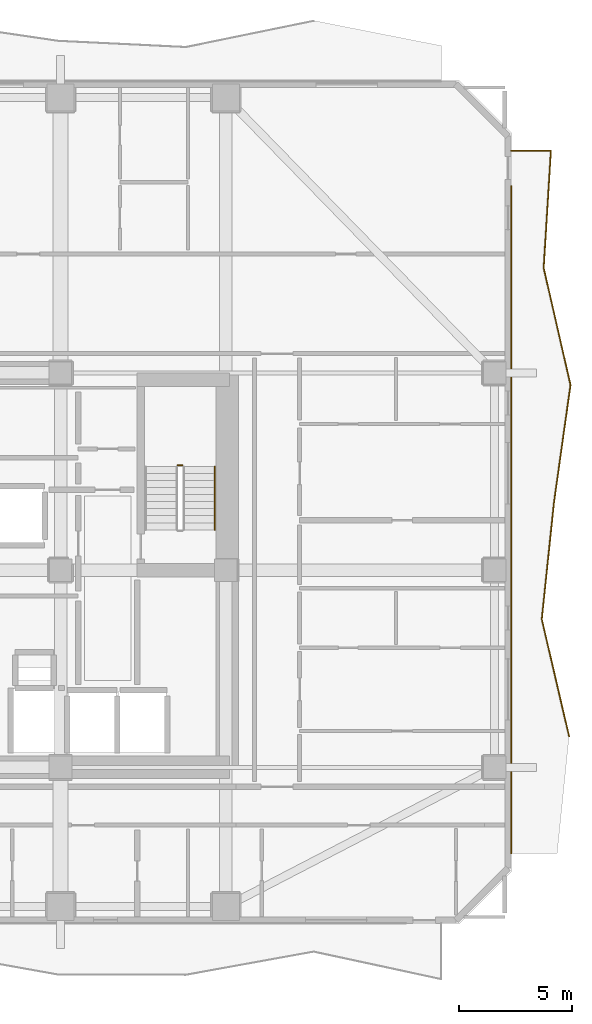
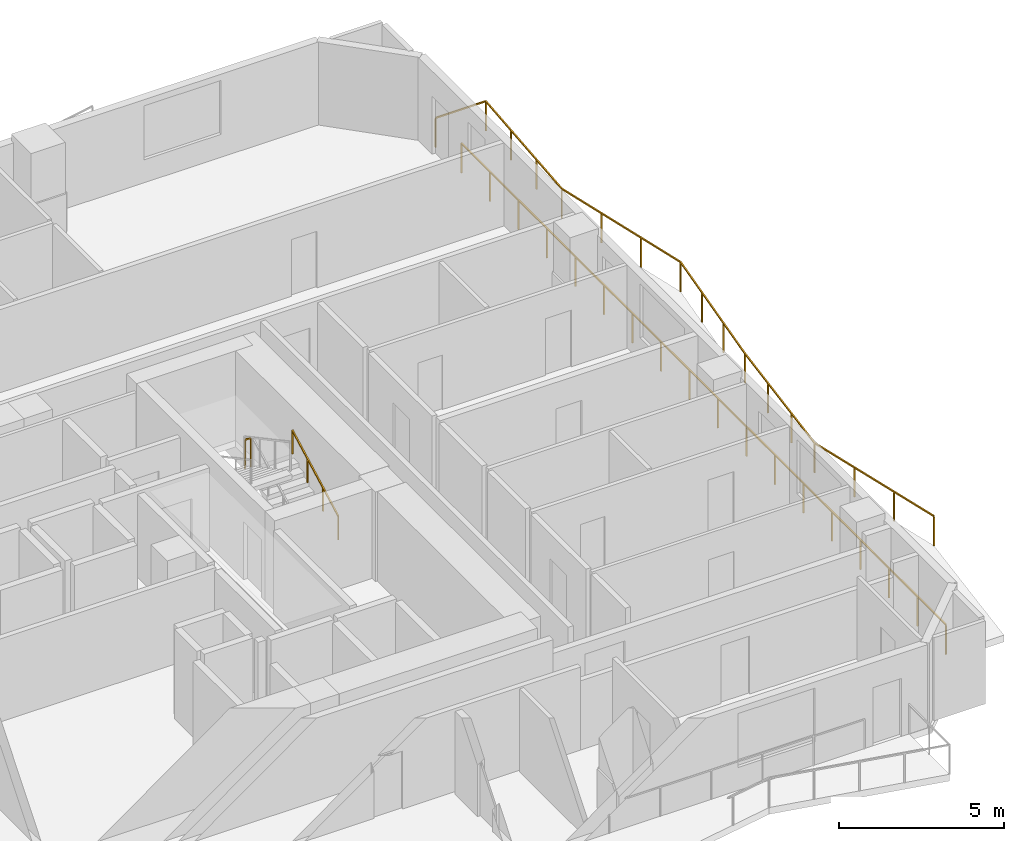
# One storey, part 10 of 11: 4 railings.
"""IFC4 building model written with IfcOpenShell, lengths in metres."""

from ifc_helpers import new_model, si_unit, direction, frame, origin, origin_2d, place, context, subcontext, project, spatial, rectangle, extrude, material, type_object, element, save


model = new_model("IFC4")

# Units and contexts
model_context = context("Model", 3, precision=1e-05, world=origin(), true_north=direction((0.0, 1.0)))
body_context = subcontext(model_context, "Body", "Model", "MODEL_VIEW")
ifc_project = project(units=[si_unit("LENGTHUNIT", "METRE"), si_unit("AREAUNIT", "SQUARE_METRE"), si_unit("VOLUMEUNIT", "CUBIC_METRE"), si_unit("PLANEANGLEUNIT", "RADIAN"), si_unit("MASSUNIT", "GRAM", prefix="KILO")], contexts=[model_context])

# Site, building, storey
site_placement = place(None, origin())
site = spatial("IfcSite", under=ifc_project, at=site_placement, CompositionType="ELEMENT")
building_placement = place(site_placement, origin())
building = spatial("IfcBuilding", under=site, at=building_placement, Name="Solanera Arch Residences", CompositionType="ELEMENT")
storey_placement = place(building_placement, frame((0.0, 0.0, 149.239990234375)))
storey = spatial("IfcBuildingStorey", under=building, at=storey_placement, Name="L43", CompositionType="ELEMENT", Elevation=149.239990234375)

# Railings
ifc_material_1 = material(Name="Steel S355 (ASTM A992 / A572 Grade 50)", Category="steel")
railing_type_1 = type_object("IfcRailingType", Name="Balustrade Railing BL-1100", PredefinedType="BALUSTRADE", material=ifc_material_1)
railing_1_placement = place(storey_placement, frame((51.639892578125, 23.366943359375, 0.0)))
element("IfcRailing", 1, at=railing_1_placement, inside=storey, type_object=railing_type_1, Name="L43 E Balcony Balustrade 1", PredefinedType="BALUSTRADE", context=body_context, shape_type="SweptSolid", body=[
    extrude(rectangle(XDim=0.048095703125, YDim=0.048095703125, at=origin_2d()), frame((0.0, 0.0, 1.09619140625), z_axis=(-0.227127770196, 0.973864968055, 0.0), x_axis=(-0.973864968055, -0.227127770196, 0.0)), (0.0, 0.0, 1.0), 5.3046875),
    extrude(rectangle(XDim=0.048095703125, YDim=0.048095703125, at=origin_2d()), frame((-1.204833984375, 5.166015625, 1.09619140625), z_axis=(0.103950876066, 0.994582432665, 0.0), x_axis=(-0.994582432665, 0.103950876066, 0.0)), (0.0, 0.0, 1.0), 5.195068359375),
    extrude(rectangle(XDim=0.048095703125, YDim=0.048095703125, at=origin_2d()), frame((-0.664794921875, 10.3330078125, 1.09619140625), z_axis=(0.139475629717, 0.990225503971, 0.0), x_axis=(-0.990225503971, 0.139475629717, 0.0)), (0.0, 0.0, 1.0), 5.218017578125),
    extrude(rectangle(XDim=0.048095703125, YDim=0.048095703125, at=origin_2d()), frame((0.06298828125, 15.5, 1.09619140625), z_axis=(-0.223368861917, 0.974733990136, 0.0), x_axis=(-0.974733990136, -0.223368861917, 0.0)), (0.0, 0.0, 1.0), 5.2998046875),
    extrude(rectangle(XDim=0.048095703125, YDim=0.048095703125, at=origin_2d()), frame((-1.120849609375, 20.666015625, 1.09619140625), z_axis=(0.061591404745, 0.998101447179, 0.0), x_axis=(-0.998101447179, 0.061591404745, 0.0)), (0.0, 0.0, 1.0), 5.1767578125),
    extrude(rectangle(XDim=0.048095703125, YDim=0.048095703125, at=origin_2d()), frame((-0.802001953125, 25.8330078125, 1.09619140625), z_axis=(-1.0, 0.0, 0.0), x_axis=(0.0, -1.0, 0.0)), (0.0, 0.0, 1.0), 1.7578125),
    extrude(rectangle(XDim=0.0419921875, YDim=0.0419921875, at=origin_2d()), origin(), (0.0, 0.0, 1.0), 1.072021484375),
    extrude(rectangle(XDim=0.0419921875, YDim=0.0419921875, at=origin_2d()), frame((-0.401611328125, 1.721923828125, 0.0)), (0.0, 0.0, 1.0), 1.072021484375),
    extrude(rectangle(XDim=0.0419921875, YDim=0.0419921875, at=origin_2d()), frame((-0.80322265625, 3.444091796875, 0.0)), (0.0, 0.0, 1.0), 1.072021484375),
    extrude(rectangle(XDim=0.0419921875, YDim=0.0419921875, at=origin_2d()), frame((-1.204833984375, 5.166015625, 0.0)), (0.0, 0.0, 1.0), 1.072021484375),
    extrude(rectangle(XDim=0.0419921875, YDim=0.0419921875, at=origin_2d()), frame((-1.02490234375, 6.888427734375, 0.0)), (0.0, 0.0, 1.0), 1.072021484375),
    extrude(rectangle(XDim=0.0419921875, YDim=0.0419921875, at=origin_2d()), frame((-0.8447265625, 8.610595703125, 0.0)), (0.0, 0.0, 1.0), 1.072021484375),
    extrude(rectangle(XDim=0.0419921875, YDim=0.0419921875, at=origin_2d()), frame((-0.664794921875, 10.3330078125, 0.0)), (0.0, 0.0, 1.0), 1.072021484375),
    extrude(rectangle(XDim=0.0419921875, YDim=0.0419921875, at=origin_2d()), frame((-0.422119140625, 12.055419921875, 0.0)), (0.0, 0.0, 1.0), 1.072021484375),
    extrude(rectangle(XDim=0.0419921875, YDim=0.0419921875, at=origin_2d()), frame((-0.1796875, 13.777587890625, 0.0)), (0.0, 0.0, 1.0), 1.072021484375),
    extrude(rectangle(XDim=0.0419921875, YDim=0.0419921875, at=origin_2d()), frame((0.06298828125, 15.5, 0.0)), (0.0, 0.0, 1.0), 1.072021484375),
    extrude(rectangle(XDim=0.0419921875, YDim=0.0419921875, at=origin_2d()), frame((-0.33154296875, 17.221923828125, 0.0)), (0.0, 0.0, 1.0), 1.072021484375),
    extrude(rectangle(XDim=0.0419921875, YDim=0.0419921875, at=origin_2d()), frame((-0.726318359375, 18.944091796875, 0.0)), (0.0, 0.0, 1.0), 1.072021484375),
    extrude(rectangle(XDim=0.0419921875, YDim=0.0419921875, at=origin_2d()), frame((-1.120849609375, 20.666015625, 0.0)), (0.0, 0.0, 1.0), 1.072021484375),
    extrude(rectangle(XDim=0.0419921875, YDim=0.0419921875, at=origin_2d()), frame((-1.0146484375, 22.388427734375, 0.0)), (0.0, 0.0, 1.0), 1.072021484375),
    extrude(rectangle(XDim=0.0419921875, YDim=0.0419921875, at=origin_2d()), frame((-0.908203125, 24.110595703125, 0.0)), (0.0, 0.0, 1.0), 1.072021484375),
    extrude(rectangle(XDim=0.0419921875, YDim=0.0419921875, at=origin_2d()), frame((-0.802001953125, 25.8330078125, 0.0)), (0.0, 0.0, 1.0), 1.072021484375),
    extrude(rectangle(XDim=0.0419921875, YDim=0.0419921875, at=origin_2d()), frame((-2.559814453125, 25.8330078125, 0.0)), (0.0, 0.0, 1.0), 1.072021484375),
])
railing_2_placement = place(storey_placement, frame((49.080078125, 47.64111328125, 0.0)))
element("IfcRailing", 2, at=railing_2_placement, inside=storey, type_object=railing_type_1, Name="L43 E Balcony Balustrade 2", PredefinedType="BALUSTRADE", context=body_context, shape_type="SweptSolid", body=[
    extrude(rectangle(XDim=0.048095703125, YDim=0.048095703125, at=origin_2d()), frame((0.0, 0.0, 1.09619140625), z_axis=(0.0, -1.0, 0.0), x_axis=(1.0, 0.0, 0.0)), (0.0, 0.0, 1.0), 29.441162109375),
    extrude(rectangle(XDim=0.0419921875, YDim=0.0419921875, at=origin_2d()), origin(), (0.0, 0.0, 1.0), 1.072021484375),
    extrude(rectangle(XDim=0.0419921875, YDim=0.0419921875, at=origin_2d()), frame((0.0, -1.73193359375, 0.0)), (0.0, 0.0, 1.0), 1.072021484375),
    extrude(rectangle(XDim=0.0419921875, YDim=0.0419921875, at=origin_2d()), frame((0.0, -3.463623046875, 0.0)), (0.0, 0.0, 1.0), 1.072021484375),
    extrude(rectangle(XDim=0.0419921875, YDim=0.0419921875, at=origin_2d()), frame((0.0, -5.195556640625, 0.0)), (0.0, 0.0, 1.0), 1.072021484375),
    extrude(rectangle(XDim=0.0419921875, YDim=0.0419921875, at=origin_2d()), frame((0.0, -6.92724609375, 0.0)), (0.0, 0.0, 1.0), 1.072021484375),
    extrude(rectangle(XDim=0.0419921875, YDim=0.0419921875, at=origin_2d()), frame((0.0, -8.6591796875, 0.0)), (0.0, 0.0, 1.0), 1.072021484375),
    extrude(rectangle(XDim=0.0419921875, YDim=0.0419921875, at=origin_2d()), frame((0.0, -10.39111328125, 0.0)), (0.0, 0.0, 1.0), 1.072021484375),
    extrude(rectangle(XDim=0.0419921875, YDim=0.0419921875, at=origin_2d()), frame((0.0, -12.122802734375, 0.0)), (0.0, 0.0, 1.0), 1.072021484375),
    extrude(rectangle(XDim=0.0419921875, YDim=0.0419921875, at=origin_2d()), frame((0.0, -13.854736328125, 0.0)), (0.0, 0.0, 1.0), 1.072021484375),
    extrude(rectangle(XDim=0.0419921875, YDim=0.0419921875, at=origin_2d()), frame((0.0, -15.58642578125, 0.0)), (0.0, 0.0, 1.0), 1.072021484375),
    extrude(rectangle(XDim=0.0419921875, YDim=0.0419921875, at=origin_2d()), frame((0.0, -17.318359375, 0.0)), (0.0, 0.0, 1.0), 1.072021484375),
    extrude(rectangle(XDim=0.0419921875, YDim=0.0419921875, at=origin_2d()), frame((0.0, -19.050048828125, 0.0)), (0.0, 0.0, 1.0), 1.072021484375),
    extrude(rectangle(XDim=0.0419921875, YDim=0.0419921875, at=origin_2d()), frame((0.0, -20.781982421875, 0.0)), (0.0, 0.0, 1.0), 1.072021484375),
    extrude(rectangle(XDim=0.0419921875, YDim=0.0419921875, at=origin_2d()), frame((0.0, -22.513916015625, 0.0)), (0.0, 0.0, 1.0), 1.072021484375),
    extrude(rectangle(XDim=0.0419921875, YDim=0.0419921875, at=origin_2d()), frame((0.0, -24.24560546875, 0.0)), (0.0, 0.0, 1.0), 1.072021484375),
    extrude(rectangle(XDim=0.0419921875, YDim=0.0419921875, at=origin_2d()), frame((0.0, -25.9775390625, 0.0)), (0.0, 0.0, 1.0), 1.072021484375),
    extrude(rectangle(XDim=0.0419921875, YDim=0.0419921875, at=origin_2d()), frame((0.0, -27.709228515625, 0.0)), (0.0, 0.0, 1.0), 1.072021484375),
    extrude(rectangle(XDim=0.0419921875, YDim=0.0419921875, at=origin_2d()), frame((0.0, -29.441162109375, 0.0)), (0.0, 0.0, 1.0), 1.072021484375),
])
ifc_material_2 = material(Name="Steel S355 (ASTM A992 / A572 Grade 50)", Category="steel")
railing_type_2 = type_object("IfcRailingType", Name="Stair Guardrail GR-1100", PredefinedType="GUARDRAIL", material=ifc_material_2)
railing_3_placement = place(storey_placement, frame((34.580078125, 35.320068359375, 1.64501953125)))
element("IfcRailing", 3, at=railing_3_placement, inside=storey, type_object=railing_type_2, Name="L43 ST-T2 stair guard 2", PredefinedType="GUARDRAIL", context=body_context, shape_type="SweptSolid", body=[
    extrude(rectangle(XDim=0.048095703125, YDim=0.048095703125, at=origin_2d()), frame((0.0, 0.0, 1.076171875), z_axis=(-1.0, 0.0, 0.0), x_axis=(0.0, -1.0, 0.0)), (0.0, 0.0, 1.0), 0.2001953125),
    extrude(rectangle(XDim=0.0419921875, YDim=0.0419921875, at=origin_2d()), origin(), (0.0, 0.0, 1.0), 1.052001953125),
    extrude(rectangle(XDim=0.0419921875, YDim=0.0419921875, at=origin_2d()), frame((-0.2001953125, 0.0, 0.0)), (0.0, 0.0, 1.0), 1.052001953125),
])
ifc_material_3 = material(Name="Steel S355 (ASTM A992 / A572 Grade 50)", Category="steel")
railing_type_3 = type_object("IfcRailingType", Name="Stair Wall Handrail HR-920", PredefinedType="HANDRAIL", material=ifc_material_3)
railing_4_placement = place(storey_placement, frame((36.010009765625, 32.47998046875, 0.166015625)))
element("IfcRailing", 4, at=railing_4_placement, inside=storey, type_object=railing_type_3, Name="L43 ST-T2 stair handrail 1", PredefinedType="HANDRAIL", context=body_context, shape_type="SweptSolid", body=[
    extrude(rectangle(XDim=0.048095703125, YDim=0.048095703125, at=origin_2d()), frame((0.0, 0.0, 0.8759765625), z_axis=(0.0, 0.881580869306, 0.472033018838), x_axis=(-1.0, 0.0, 0.0)), (0.0, 0.0, 1.0), 3.164794921875),
    extrude(rectangle(XDim=0.0419921875, YDim=0.0419921875, at=origin_2d()), origin(), (0.0, 0.0, 1.0), 0.851806640625),
    extrude(rectangle(XDim=0.0419921875, YDim=0.0419921875, at=origin_2d()), frame((0.0, 0.929931640625, 0.498046875)), (0.0, 0.0, 1.0), 0.851806640625),
    extrude(rectangle(XDim=0.0419921875, YDim=0.0419921875, at=origin_2d()), frame((0.0, 1.860107421875, 0.995849609375)), (0.0, 0.0, 1.0), 0.851806640625),
    extrude(rectangle(XDim=0.0419921875, YDim=0.0419921875, at=origin_2d()), frame((0.0, 2.7900390625, 1.493896484375)), (0.0, 0.0, 1.0), 0.851806640625),
])

save(model, "model.ifc")
